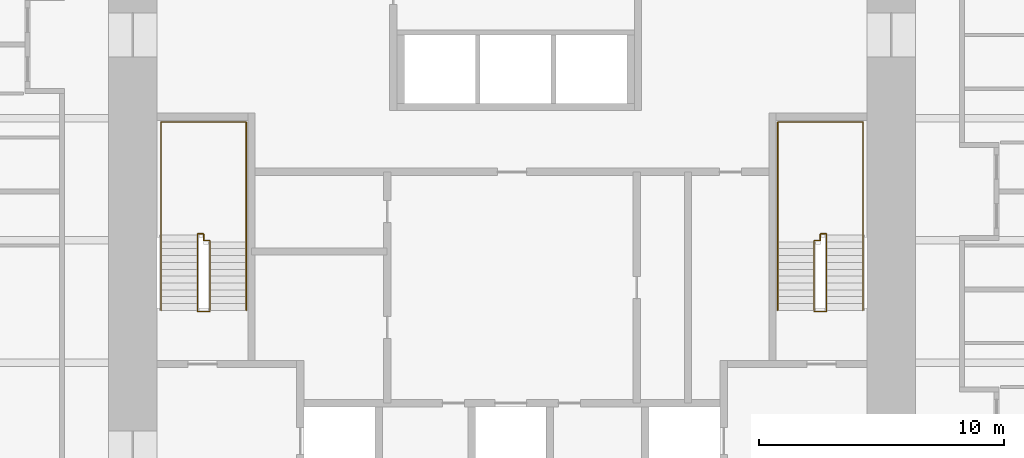
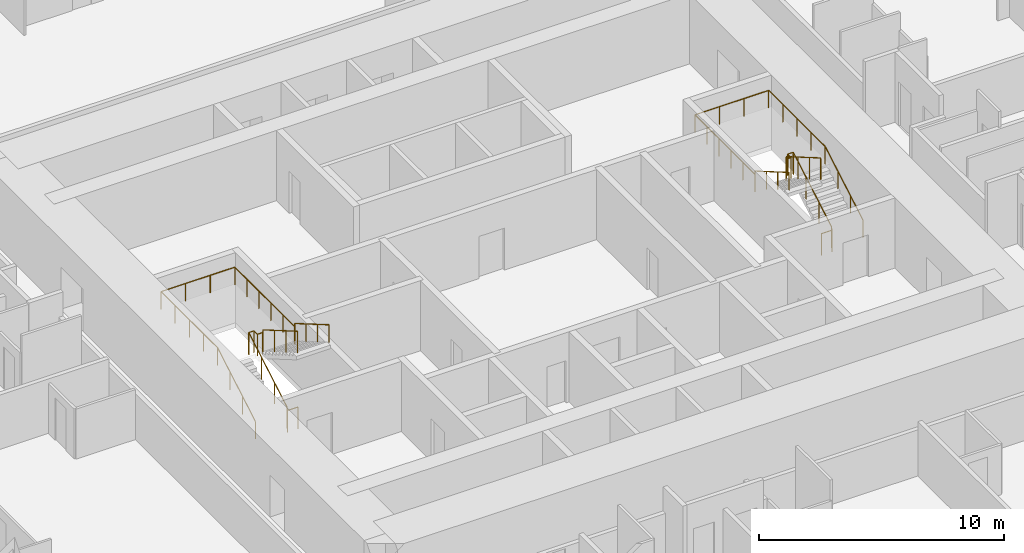
# One storey, part 17 of 17: 4 railings.
"""IFC4 building model written with IfcOpenShell, lengths in metres."""

from ifc_helpers import new_model, si_unit, direction, frame, origin, origin_2d, place, context, subcontext, project, spatial, circle, extrude, material, type_object, element, save


model = new_model("IFC4")

# Units and contexts
model_context = context("Model", 3, precision=1e-05, world=origin(), true_north=direction((0.0, 1.0)))
body_context = subcontext(model_context, "Body", "Model", "MODEL_VIEW")
ifc_project = project(units=[si_unit("LENGTHUNIT", "METRE"), si_unit("AREAUNIT", "SQUARE_METRE"), si_unit("VOLUMEUNIT", "CUBIC_METRE"), si_unit("PLANEANGLEUNIT", "RADIAN"), si_unit("MASSUNIT", "GRAM", prefix="KILO")], contexts=[model_context])

# Site, building, storey
site_placement = place(None, origin())
site = spatial("IfcSite", under=ifc_project, at=site_placement, CompositionType="ELEMENT")
building_placement = place(site_placement, origin())
building = spatial("IfcBuilding", under=site, at=building_placement, Name="Khuree Lantern Residences", CompositionType="ELEMENT")
storey_placement = place(building_placement, frame((0.0, 0.0, 58.5)))
storey = spatial("IfcBuildingStorey", under=building, at=storey_placement, Name="L14", CompositionType="ELEMENT", Elevation=58.5)

# Railings
ifc_material = material(Name="Steel S355", Category="steel")
railing_type_1 = type_object("IfcRailingType", Name="STAIR GUARD G1 1100", PredefinedType="GUARDRAIL", material=ifc_material)
railing_1_placement = place(storey_placement, frame((-12.35009765625, -2.909912109375, 0.0)))
element("IfcRailing", 1, at=railing_1_placement, inside=storey, type_object=railing_type_1, Name="Stair ST1 guard", PredefinedType="GUARDRAIL", context=body_context, shape_type="SweptSolid", body=[
    extrude(circle(Radius=0.02392578125, at=origin_2d()), frame((0.0, 0.0, 1.076171875), z_axis=(-1.0, 0.0, 0.0), x_axis=(0.0, -1.0, 0.0)), (0.0, 0.0, 1.0), 0.5),
    extrude(circle(Radius=0.02392578125, at=origin_2d()), frame((-0.5, 0.0, 1.076171875), z_axis=(0.0, 0.292073035251, 0.95639601739), x_axis=(-1.0, 0.0, 0.0)), (0.0, 0.0, 1.0), 0.17041015625),
    extrude(circle(Radius=0.02392578125, at=origin_2d()), frame((-0.5, 0.0498046875, 1.2392578125), z_axis=(0.0, 0.864176135923, 0.503189433615), x_axis=(-1.0, 0.0, 0.0)), (0.0, 0.0, 1.0), 3.564208984375),
    extrude(circle(Radius=0.02392578125, at=origin_2d()), frame((-0.5, 3.1298828125, 3.03271484375), z_axis=(0.0, 1.0, 0.0), x_axis=(-1.0, 0.0, 0.0)), (0.0, 0.0, 1.0), 0.050048828125),
    extrude(circle(Radius=0.02392578125, at=origin_2d()), frame((-0.5, 3.179931640625, 3.03271484375), z_axis=(1.0, 0.0, 0.0), x_axis=(0.0, 1.0, 0.0)), (0.0, 0.0, 1.0), 0.25),
    extrude(circle(Radius=0.02392578125, at=origin_2d()), frame((-0.25, 3.179931640625, 3.03271484375), z_axis=(0.0, -1.0, 0.0), x_axis=(1.0, 0.0, 0.0)), (0.0, 0.0, 1.0), 0.280029296875),
    extrude(circle(Radius=0.02392578125, at=origin_2d()), frame((-0.25, 2.89990234375, 3.03271484375), z_axis=(1.0, 0.0, 0.0), x_axis=(0.0, 1.0, 0.0)), (0.0, 0.0, 1.0), 0.25),
    extrude(circle(Radius=0.02392578125, at=origin_2d()), frame((0.0, 2.89990234375, 3.03271484375), z_axis=(0.0, -0.293381807449, 0.955995353053), x_axis=(1.0, 0.0, 0.0)), (0.0, 0.0, 1.0), 0.170654296875),
    extrude(circle(Radius=0.02392578125, at=origin_2d()), frame((0.0, 2.849853515625, 3.19580078125), z_axis=(0.0, -0.864180358799, 0.503182181189), x_axis=(1.0, 0.0, 0.0)), (0.0, 0.0, 1.0), 3.240234375),
    extrude(circle(Radius=0.02099609375, at=origin_2d()), origin(), (0.0, 0.0, 1.0), 1.052001953125),
    extrude(circle(Radius=0.02099609375, at=origin_2d()), frame((-0.5, 0.0, 0.0)), (0.0, 0.0, 1.0), 1.052001953125),
    extrude(circle(Radius=0.02099609375, at=origin_2d()), frame((-0.5, 0.0498046875, 0.1630859375)), (0.0, 0.0, 1.0), 1.052001953125),
    extrude(circle(Radius=0.02099609375, at=origin_2d()), frame((-0.5, 1.076416015625, 0.760986328125)), (0.0, 0.0, 1.0), 1.052001953125),
    extrude(circle(Radius=0.02099609375, at=origin_2d()), frame((-0.5, 2.103271484375, 1.358642578125)), (0.0, 0.0, 1.0), 1.052001953125),
    extrude(circle(Radius=0.02099609375, at=origin_2d()), frame((-0.5, 3.1298828125, 1.95654296875)), (0.0, 0.0, 1.0), 1.052001953125),
    extrude(circle(Radius=0.02099609375, at=origin_2d()), frame((-0.5, 3.179931640625, 1.95654296875)), (0.0, 0.0, 1.0), 1.052001953125),
    extrude(circle(Radius=0.02099609375, at=origin_2d()), frame((-0.25, 3.179931640625, 1.95654296875)), (0.0, 0.0, 1.0), 1.052001953125),
    extrude(circle(Radius=0.02099609375, at=origin_2d()), frame((-0.25, 2.89990234375, 1.95654296875)), (0.0, 0.0, 1.0), 1.052001953125),
    extrude(circle(Radius=0.02099609375, at=origin_2d()), frame((0.0, 2.89990234375, 1.95654296875)), (0.0, 0.0, 1.0), 1.052001953125),
    extrude(circle(Radius=0.02099609375, at=origin_2d()), frame((0.0, 2.849853515625, 2.11962890625)), (0.0, 0.0, 1.0), 1.052001953125),
    extrude(circle(Radius=0.02099609375, at=origin_2d()), frame((0.0, 1.91650390625, 2.6630859375)), (0.0, 0.0, 1.0), 1.052001953125),
    extrude(circle(Radius=0.02099609375, at=origin_2d()), frame((0.0, 0.983154296875, 3.20654296875)), (0.0, 0.0, 1.0), 1.052001953125),
    extrude(circle(Radius=0.02099609375, at=origin_2d()), frame((0.0, 0.0498046875, 3.75)), (0.0, 0.0, 1.0), 1.052001953125),
])
railing_2_placement = place(storey_placement, frame((12.35009765625, -2.909912109375, 0.0)))
element("IfcRailing", 2, at=railing_2_placement, inside=storey, type_object=railing_type_1, Name="Stair ST2 guard", PredefinedType="GUARDRAIL", context=body_context, shape_type="SweptSolid", body=[
    extrude(circle(Radius=0.02392578125, at=origin_2d()), frame((0.0, 0.0, 1.076171875), z_axis=(1.0, 0.0, 0.0), x_axis=(0.0, 1.0, 0.0)), (0.0, 0.0, 1.0), 0.5),
    extrude(circle(Radius=0.02392578125, at=origin_2d()), frame((0.5, 0.0, 1.076171875), z_axis=(0.0, 0.292073035251, 0.95639601739), x_axis=(-1.0, 0.0, 0.0)), (0.0, 0.0, 1.0), 0.17041015625),
    extrude(circle(Radius=0.02392578125, at=origin_2d()), frame((0.5, 0.0498046875, 1.2392578125), z_axis=(0.0, 0.864176135923, 0.503189433615), x_axis=(-1.0, 0.0, 0.0)), (0.0, 0.0, 1.0), 3.564208984375),
    extrude(circle(Radius=0.02392578125, at=origin_2d()), frame((0.5, 3.1298828125, 3.03271484375), z_axis=(0.0, 1.0, 0.0), x_axis=(-1.0, 0.0, 0.0)), (0.0, 0.0, 1.0), 0.050048828125),
    extrude(circle(Radius=0.02392578125, at=origin_2d()), frame((0.5, 3.179931640625, 3.03271484375), z_axis=(-1.0, 0.0, 0.0), x_axis=(0.0, -1.0, 0.0)), (0.0, 0.0, 1.0), 0.25),
    extrude(circle(Radius=0.02392578125, at=origin_2d()), frame((0.25, 3.179931640625, 3.03271484375), z_axis=(0.0, -1.0, 0.0), x_axis=(1.0, 0.0, 0.0)), (0.0, 0.0, 1.0), 0.280029296875),
    extrude(circle(Radius=0.02392578125, at=origin_2d()), frame((0.25, 2.89990234375, 3.03271484375), z_axis=(-1.0, 0.0, 0.0), x_axis=(0.0, -1.0, 0.0)), (0.0, 0.0, 1.0), 0.25),
    extrude(circle(Radius=0.02392578125, at=origin_2d()), frame((0.0, 2.89990234375, 3.03271484375), z_axis=(0.0, -0.293381807449, 0.955995353053), x_axis=(1.0, 0.0, 0.0)), (0.0, 0.0, 1.0), 0.170654296875),
    extrude(circle(Radius=0.02392578125, at=origin_2d()), frame((0.0, 2.849853515625, 3.19580078125), z_axis=(0.0, -0.864180358799, 0.503182181189), x_axis=(1.0, 0.0, 0.0)), (0.0, 0.0, 1.0), 3.240234375),
    extrude(circle(Radius=0.02099609375, at=origin_2d()), origin(), (0.0, 0.0, 1.0), 1.052001953125),
    extrude(circle(Radius=0.02099609375, at=origin_2d()), frame((0.5, 0.0, 0.0)), (0.0, 0.0, 1.0), 1.052001953125),
    extrude(circle(Radius=0.02099609375, at=origin_2d()), frame((0.5, 0.0498046875, 0.1630859375)), (0.0, 0.0, 1.0), 1.052001953125),
    extrude(circle(Radius=0.02099609375, at=origin_2d()), frame((0.5, 1.076416015625, 0.760986328125)), (0.0, 0.0, 1.0), 1.052001953125),
    extrude(circle(Radius=0.02099609375, at=origin_2d()), frame((0.5, 2.103271484375, 1.358642578125)), (0.0, 0.0, 1.0), 1.052001953125),
    extrude(circle(Radius=0.02099609375, at=origin_2d()), frame((0.5, 3.1298828125, 1.95654296875)), (0.0, 0.0, 1.0), 1.052001953125),
    extrude(circle(Radius=0.02099609375, at=origin_2d()), frame((0.5, 3.179931640625, 1.95654296875)), (0.0, 0.0, 1.0), 1.052001953125),
    extrude(circle(Radius=0.02099609375, at=origin_2d()), frame((0.25, 3.179931640625, 1.95654296875)), (0.0, 0.0, 1.0), 1.052001953125),
    extrude(circle(Radius=0.02099609375, at=origin_2d()), frame((0.25, 2.89990234375, 1.95654296875)), (0.0, 0.0, 1.0), 1.052001953125),
    extrude(circle(Radius=0.02099609375, at=origin_2d()), frame((0.0, 2.89990234375, 1.95654296875)), (0.0, 0.0, 1.0), 1.052001953125),
    extrude(circle(Radius=0.02099609375, at=origin_2d()), frame((0.0, 2.849853515625, 2.11962890625)), (0.0, 0.0, 1.0), 1.052001953125),
    extrude(circle(Radius=0.02099609375, at=origin_2d()), frame((0.0, 1.91650390625, 2.6630859375)), (0.0, 0.0, 1.0), 1.052001953125),
    extrude(circle(Radius=0.02099609375, at=origin_2d()), frame((0.0, 0.983154296875, 3.20654296875)), (0.0, 0.0, 1.0), 1.052001953125),
    extrude(circle(Radius=0.02099609375, at=origin_2d()), frame((0.0, 0.0498046875, 3.75)), (0.0, 0.0, 1.0), 1.052001953125),
])
railing_type_2 = type_object("IfcRailingType", Name="STAIR HANDRAIL H1 900", PredefinedType="HANDRAIL", material=ifc_material)
railing_3_placement = place(storey_placement, frame((-14.340087890625, -2.860107421875, 0.1630859375)))
element("IfcRailing", 3, at=railing_3_placement, inside=storey, type_object=railing_type_2, Name="Stair ST1 handrail", PredefinedType="HANDRAIL", context=body_context, shape_type="SweptSolid", body=[
    extrude(circle(Radius=0.02392578125, at=origin_2d()), frame((0.0, 0.0, 0.8759765625), z_axis=(0.0, 0.864176135923, 0.503189433615), x_axis=(-1.0, 0.0, 0.0)), (0.0, 0.0, 1.0), 3.564208984375),
    extrude(circle(Radius=0.02392578125, at=origin_2d()), frame((0.0, 3.080078125, 2.66943359375), z_axis=(0.0, 1.0, 0.0), x_axis=(-1.0, 0.0, 0.0)), (0.0, 0.0, 1.0), 4.6201171875),
    extrude(circle(Radius=0.02392578125, at=origin_2d()), frame((0.0, 7.7001953125, 2.66943359375), z_axis=(1.0, 0.0, 0.0), x_axis=(0.0, 1.0, 0.0)), (0.0, 0.0, 1.0), 3.47998046875),
    extrude(circle(Radius=0.02392578125, at=origin_2d()), frame((3.47998046875, 7.7001953125, 2.66943359375), z_axis=(0.0, -1.0, 0.0), x_axis=(1.0, 0.0, 0.0)), (0.0, 0.0, 1.0), 4.900146484375),
    extrude(circle(Radius=0.02392578125, at=origin_2d()), frame((3.47998046875, 2.800048828125, 2.66943359375), z_axis=(0.0, 0.0, 1.0), x_axis=(1.0, 0.0, 0.0)), (0.0, 0.0, 1.0), 0.1630859375),
    extrude(circle(Radius=0.02392578125, at=origin_2d()), frame((3.47998046875, 2.800048828125, 2.83251953125), z_axis=(0.0, -0.864180358799, 0.503182181189), x_axis=(1.0, 0.0, 0.0)), (0.0, 0.0, 1.0), 3.240234375),
    extrude(circle(Radius=0.02099609375, at=origin_2d()), origin(), (0.0, 0.0, 1.0), 0.851806640625),
    extrude(circle(Radius=0.02099609375, at=origin_2d()), frame((0.0, 1.026611328125, 0.597900390625)), (0.0, 0.0, 1.0), 0.851806640625),
    extrude(circle(Radius=0.02099609375, at=origin_2d()), frame((0.0, 2.053466796875, 1.195556640625)), (0.0, 0.0, 1.0), 0.851806640625),
    extrude(circle(Radius=0.02099609375, at=origin_2d()), frame((0.0, 3.080078125, 1.79345703125)), (0.0, 0.0, 1.0), 0.851806640625),
    extrude(circle(Radius=0.02099609375, at=origin_2d()), frame((0.0, 4.235107421875, 1.79345703125)), (0.0, 0.0, 1.0), 0.851806640625),
    extrude(circle(Radius=0.02099609375, at=origin_2d()), frame((0.0, 5.39013671875, 1.79345703125)), (0.0, 0.0, 1.0), 0.851806640625),
    extrude(circle(Radius=0.02099609375, at=origin_2d()), frame((0.0, 6.545166015625, 1.79345703125)), (0.0, 0.0, 1.0), 0.851806640625),
    extrude(circle(Radius=0.02099609375, at=origin_2d()), frame((0.0, 7.7001953125, 1.79345703125)), (0.0, 0.0, 1.0), 0.851806640625),
    extrude(circle(Radius=0.02099609375, at=origin_2d()), frame((1.159912109375, 7.7001953125, 1.79345703125)), (0.0, 0.0, 1.0), 0.851806640625),
    extrude(circle(Radius=0.02099609375, at=origin_2d()), frame((2.320068359375, 7.7001953125, 1.79345703125)), (0.0, 0.0, 1.0), 0.851806640625),
    extrude(circle(Radius=0.02099609375, at=origin_2d()), frame((3.47998046875, 7.7001953125, 1.79345703125)), (0.0, 0.0, 1.0), 0.851806640625),
    extrude(circle(Radius=0.02099609375, at=origin_2d()), frame((3.47998046875, 6.72021484375, 1.79345703125)), (0.0, 0.0, 1.0), 0.851806640625),
    extrude(circle(Radius=0.02099609375, at=origin_2d()), frame((3.47998046875, 5.740234375, 1.79345703125)), (0.0, 0.0, 1.0), 0.851806640625),
    extrude(circle(Radius=0.02099609375, at=origin_2d()), frame((3.47998046875, 4.760009765625, 1.79345703125)), (0.0, 0.0, 1.0), 0.851806640625),
    extrude(circle(Radius=0.02099609375, at=origin_2d()), frame((3.47998046875, 3.780029296875, 1.79345703125)), (0.0, 0.0, 1.0), 0.851806640625),
    extrude(circle(Radius=0.02099609375, at=origin_2d()), frame((3.47998046875, 2.800048828125, 1.79345703125)), (0.0, 0.0, 1.0), 0.851806640625),
    extrude(circle(Radius=0.02099609375, at=origin_2d()), frame((3.47998046875, 2.800048828125, 1.95654296875)), (0.0, 0.0, 1.0), 0.851806640625),
    extrude(circle(Radius=0.02099609375, at=origin_2d()), frame((3.47998046875, 1.86669921875, 2.5)), (0.0, 0.0, 1.0), 0.851806640625),
    extrude(circle(Radius=0.02099609375, at=origin_2d()), frame((3.47998046875, 0.933349609375, 3.04345703125)), (0.0, 0.0, 1.0), 0.851806640625),
    extrude(circle(Radius=0.02099609375, at=origin_2d()), frame((3.47998046875, 0.0, 3.5869140625)), (0.0, 0.0, 1.0), 0.851806640625),
])
railing_4_placement = place(storey_placement, frame((14.340087890625, -2.860107421875, 0.1630859375)))
element("IfcRailing", 4, at=railing_4_placement, inside=storey, type_object=railing_type_2, Name="Stair ST2 handrail", PredefinedType="HANDRAIL", context=body_context, shape_type="SweptSolid", body=[
    extrude(circle(Radius=0.02392578125, at=origin_2d()), frame((0.0, 0.0, 0.8759765625), z_axis=(0.0, 0.864176135923, 0.503189433615), x_axis=(-1.0, 0.0, 0.0)), (0.0, 0.0, 1.0), 3.564208984375),
    extrude(circle(Radius=0.02392578125, at=origin_2d()), frame((0.0, 3.080078125, 2.66943359375), z_axis=(0.0, 1.0, 0.0), x_axis=(-1.0, 0.0, 0.0)), (0.0, 0.0, 1.0), 4.6201171875),
    extrude(circle(Radius=0.02392578125, at=origin_2d()), frame((0.0, 7.7001953125, 2.66943359375), z_axis=(-1.0, 0.0, 0.0), x_axis=(0.0, -1.0, 0.0)), (0.0, 0.0, 1.0), 3.47998046875),
    extrude(circle(Radius=0.02392578125, at=origin_2d()), frame((-3.47998046875, 7.7001953125, 2.66943359375), z_axis=(0.0, -1.0, 0.0), x_axis=(1.0, 0.0, 0.0)), (0.0, 0.0, 1.0), 4.900146484375),
    extrude(circle(Radius=0.02392578125, at=origin_2d()), frame((-3.47998046875, 2.800048828125, 2.66943359375), z_axis=(0.0, 0.0, 1.0), x_axis=(1.0, 0.0, 0.0)), (0.0, 0.0, 1.0), 0.1630859375),
    extrude(circle(Radius=0.02392578125, at=origin_2d()), frame((-3.47998046875, 2.800048828125, 2.83251953125), z_axis=(0.0, -0.864180358799, 0.503182181189), x_axis=(1.0, 0.0, 0.0)), (0.0, 0.0, 1.0), 3.240234375),
    extrude(circle(Radius=0.02099609375, at=origin_2d()), origin(), (0.0, 0.0, 1.0), 0.851806640625),
    extrude(circle(Radius=0.02099609375, at=origin_2d()), frame((0.0, 1.026611328125, 0.597900390625)), (0.0, 0.0, 1.0), 0.851806640625),
    extrude(circle(Radius=0.02099609375, at=origin_2d()), frame((0.0, 2.053466796875, 1.195556640625)), (0.0, 0.0, 1.0), 0.851806640625),
    extrude(circle(Radius=0.02099609375, at=origin_2d()), frame((0.0, 3.080078125, 1.79345703125)), (0.0, 0.0, 1.0), 0.851806640625),
    extrude(circle(Radius=0.02099609375, at=origin_2d()), frame((0.0, 4.235107421875, 1.79345703125)), (0.0, 0.0, 1.0), 0.851806640625),
    extrude(circle(Radius=0.02099609375, at=origin_2d()), frame((0.0, 5.39013671875, 1.79345703125)), (0.0, 0.0, 1.0), 0.851806640625),
    extrude(circle(Radius=0.02099609375, at=origin_2d()), frame((0.0, 6.545166015625, 1.79345703125)), (0.0, 0.0, 1.0), 0.851806640625),
    extrude(circle(Radius=0.02099609375, at=origin_2d()), frame((0.0, 7.7001953125, 1.79345703125)), (0.0, 0.0, 1.0), 0.851806640625),
    extrude(circle(Radius=0.02099609375, at=origin_2d()), frame((-1.159912109375, 7.7001953125, 1.79345703125)), (0.0, 0.0, 1.0), 0.851806640625),
    extrude(circle(Radius=0.02099609375, at=origin_2d()), frame((-2.320068359375, 7.7001953125, 1.79345703125)), (0.0, 0.0, 1.0), 0.851806640625),
    extrude(circle(Radius=0.02099609375, at=origin_2d()), frame((-3.47998046875, 7.7001953125, 1.79345703125)), (0.0, 0.0, 1.0), 0.851806640625),
    extrude(circle(Radius=0.02099609375, at=origin_2d()), frame((-3.47998046875, 6.72021484375, 1.79345703125)), (0.0, 0.0, 1.0), 0.851806640625),
    extrude(circle(Radius=0.02099609375, at=origin_2d()), frame((-3.47998046875, 5.740234375, 1.79345703125)), (0.0, 0.0, 1.0), 0.851806640625),
    extrude(circle(Radius=0.02099609375, at=origin_2d()), frame((-3.47998046875, 4.760009765625, 1.79345703125)), (0.0, 0.0, 1.0), 0.851806640625),
    extrude(circle(Radius=0.02099609375, at=origin_2d()), frame((-3.47998046875, 3.780029296875, 1.79345703125)), (0.0, 0.0, 1.0), 0.851806640625),
    extrude(circle(Radius=0.02099609375, at=origin_2d()), frame((-3.47998046875, 2.800048828125, 1.79345703125)), (0.0, 0.0, 1.0), 0.851806640625),
    extrude(circle(Radius=0.02099609375, at=origin_2d()), frame((-3.47998046875, 2.800048828125, 1.95654296875)), (0.0, 0.0, 1.0), 0.851806640625),
    extrude(circle(Radius=0.02099609375, at=origin_2d()), frame((-3.47998046875, 1.86669921875, 2.5)), (0.0, 0.0, 1.0), 0.851806640625),
    extrude(circle(Radius=0.02099609375, at=origin_2d()), frame((-3.47998046875, 0.933349609375, 3.04345703125)), (0.0, 0.0, 1.0), 0.851806640625),
    extrude(circle(Radius=0.02099609375, at=origin_2d()), frame((-3.47998046875, 0.0, 3.5869140625)), (0.0, 0.0, 1.0), 0.851806640625),
])

save(model, "model.ifc")
